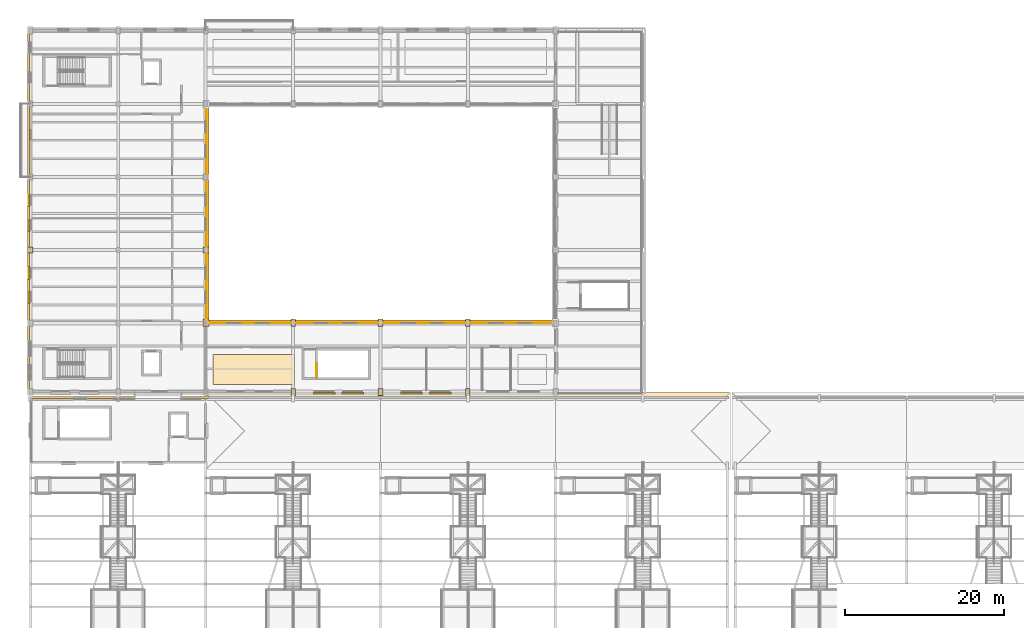
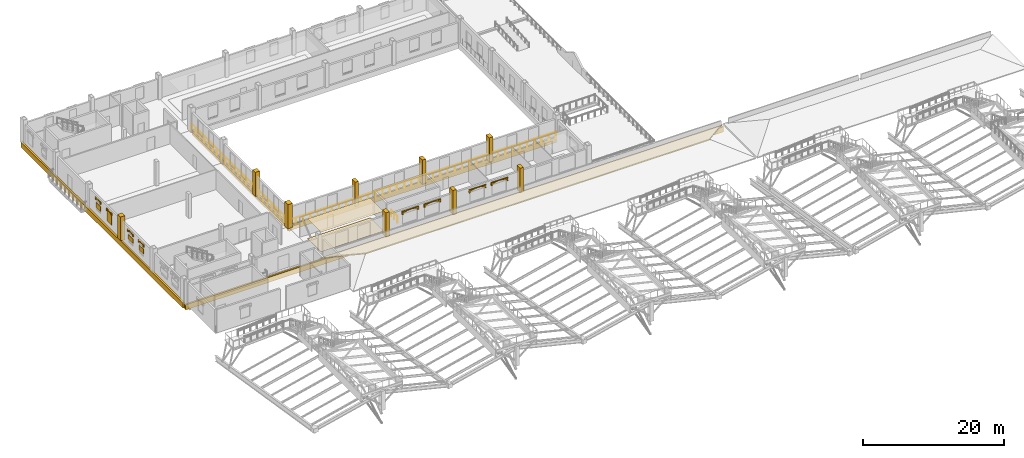
# One storey, part 36 of 43: 24 coverings, 4 shading devices, 3 railings.
"""IFC4 building model written with IfcOpenShell, lengths in metres."""

import ifcopenshell
import ifcopenshell.guid

model = None  # the IFC model being written
_history = None  # IfcOwnerHistory: only IFC2X3 demands one
_inside = {}  # id of a spatial element -> (the spatial element, [elements in it])
_under = {}  # id of a project, library or spatial element -> (it, [spatial elements below it])
_declared = {}  # id of a project -> (the project, [libraries it declares])
_typed = {}  # id of a type object -> (the type object, [elements of that type])
_made_of = {}  # id of a material, layer set ... -> (it, [elements and type objects made of it])


def new_model(schema):
    """Start an empty IFC model of exactly this schema.

    Asked for "IFC4X3", IfcOpenShell would pick the latest addendum, in which some entities
    have other attributes; the version numbers below select the first issue.
    IFC2X3 requires an IfcOwnerHistory on every rooted entity: one is made here for all.
    """
    global model, _history
    if schema == "IFC4X3":
        model = ifcopenshell.file(schema_version=(4, 3, 0, 0))
    else:
        model = ifcopenshell.file(schema=schema)
    _inside.clear()
    _under.clear()
    _declared.clear()
    _typed.clear()
    _made_of.clear()
    _history = None
    if model.schema == "IFC2X3":
        org = make("IfcOrganization", Name="unknown")
        user = make(
            "IfcPersonAndOrganization",
            ThePerson=make("IfcPerson", FamilyName="unknown"),
            TheOrganization=org,
        )
        app = make(
            "IfcApplication",
            ApplicationDeveloper=org,
            Version="unknown",
            ApplicationFullName="unknown",
            ApplicationIdentifier="unknown",
        )
        _history = make(
            "IfcOwnerHistory",
            OwningUser=user,
            OwningApplication=app,
            ChangeAction="ADDED",
            CreationDate=0,
        )
    return model


def make(cls, **values):
    """One entity of the class cls with the attributes given. An attribute that is None is left unset."""
    return model.create_entity(
        cls, **{name: value for name, value in values.items() if value is not None}
    )


def rooted(cls, **values):
    """An entity with a GlobalId (a new one), such as an element, a storey or a relation."""
    return make(cls, GlobalId=ifcopenshell.guid.new(), OwnerHistory=_history, **values)


def si_unit(unit_type, name, prefix=None):
    """IfcSIUnit, for example si_unit("LENGTHUNIT", "METRE", prefix="MILLI")."""
    return make("IfcSIUnit", UnitType=unit_type, Prefix=prefix, Name=name)


def assignment(units):
    """IfcUnitAssignment: the units of a project."""
    return None if units is None else make("IfcUnitAssignment", Units=units)


def point(xyz):
    """IfcCartesianPoint."""
    return None if xyz is None else make("IfcCartesianPoint", Coordinates=xyz)


def direction(xyz):
    """IfcDirection."""
    return None if xyz is None else make("IfcDirection", DirectionRatios=xyz)


def frame(location, z_axis=None, x_axis=None):
    """IfcAxis2Placement3D, a coordinate frame: its origin and axes. An axis left out is left unset."""
    return make(
        "IfcAxis2Placement3D",
        Location=point(location),
        Axis=direction(z_axis),
        RefDirection=direction(x_axis),
    )


def frame_2d(location, x_axis=None):
    """IfcAxis2Placement2D, a coordinate frame in the plane: its origin and x axis."""
    return make(
        "IfcAxis2Placement2D", Location=point(location), RefDirection=direction(x_axis)
    )


def origin():
    """The frame at (0, 0, 0) with its axes left unset."""
    return frame((0.0, 0.0, 0.0))


def origin_2d():
    """The frame at (0, 0) in the plane with its x axis left unset."""
    return frame_2d((0.0, 0.0))


def place(relative_to, where):
    """IfcLocalPlacement: puts the frame where relative to a parent placement (None: the world)."""
    return make(
        "IfcLocalPlacement", PlacementRelTo=relative_to, RelativePlacement=where
    )


def context(
    kind, dimensions, precision=None, world=None, true_north=None, identifier=None
):
    """IfcGeometricRepresentationContext, for example the 3D "Model" context."""
    return make(
        "IfcGeometricRepresentationContext",
        ContextIdentifier=identifier,
        ContextType=kind,
        CoordinateSpaceDimension=dimensions,
        Precision=precision,
        WorldCoordinateSystem=world,
        TrueNorth=true_north,
    )


def subcontext(parent, identifier, kind, view, scale=None):
    """IfcGeometricRepresentationSubContext, for example "Body" below "Model"."""
    return make(
        "IfcGeometricRepresentationSubContext",
        ContextIdentifier=identifier,
        ContextType=kind,
        ParentContext=parent,
        TargetScale=scale,
        TargetView=view,
    )


def project(units=None, contexts=None):
    """IfcProject with its units and contexts."""
    return rooted(
        "IfcProject",
        Name="project",
        RepresentationContexts=contexts,
        UnitsInContext=assignment(units),
    )


def spatial(cls, under=None, at=None, **own):
    """A site, building, storey or space (cls), placed at a placement, below another one or the project."""
    s = rooted(cls, ObjectPlacement=at, **own)
    if under is not None:
        _under.setdefault(under.id(), (under, []))[1].append(s)
    return s


def polyline(points):
    """IfcPolyline through the points."""
    return make("IfcPolyline", Points=[point(p) for p in points])


def profile(cls, at=None, kind="AREA", **sizes):
    """A parametric profile (cls). Its sizes go by their IFC names, for example OverallWidth=200.0."""
    return make(cls, ProfileType=kind, Position=at, **sizes)


def rectangle(**sizes):
    """IfcRectangleProfileDef."""
    return profile("IfcRectangleProfileDef", **sizes)


def circle(**sizes):
    """IfcCircleProfileDef."""
    return profile("IfcCircleProfileDef", **sizes)


def outline(outer, holes=None, kind="AREA"):
    """IfcArbitraryClosedProfileDef: a profile drawn as a closed curve; with holes, ...WithVoids."""
    if holes is None:
        return make("IfcArbitraryClosedProfileDef", ProfileType=kind, OuterCurve=outer)
    return make(
        "IfcArbitraryProfileDefWithVoids",
        ProfileType=kind,
        OuterCurve=outer,
        InnerCurves=holes,
    )


def extrude(swept, where, along, depth):
    """IfcExtrudedAreaSolid: the profile swept, set in the frame where, extruded along a direction by depth."""
    return make(
        "IfcExtrudedAreaSolid",
        SweptArea=swept,
        Position=where,
        ExtrudedDirection=direction(along),
        Depth=depth,
    )


def shape(context_of_items, identifier, shape_type, items):
    """IfcShapeRepresentation: the items that make up one representation, for example the "Body"."""
    return make(
        "IfcShapeRepresentation",
        ContextOfItems=context_of_items,
        RepresentationIdentifier=identifier,
        RepresentationType=shape_type,
        Items=items,
    )


def material(Name=None, Category=None):
    """IfcMaterial."""
    return make("IfcMaterial", Name=Name, Category=Category)


def layer(
    of_material, thickness, ventilated=None, Name=None, Category=None, Priority=None
):
    """IfcMaterialLayer: one layer of a wall or slab, of a material (None: an air gap)."""
    return make(
        "IfcMaterialLayer",
        Material=of_material,
        LayerThickness=thickness,
        IsVentilated=ventilated,
        Name=Name,
        Category=Category,
        Priority=Priority,
    )


def layer_set(layers, Name=None):
    """IfcMaterialLayerSet."""
    return make("IfcMaterialLayerSet", MaterialLayers=layers, LayerSetName=Name)


def made_of(thing, what):
    """Note that an element or type object is made of a material, layer set ...; save() writes the relation."""
    if what is not None:
        _made_of.setdefault(what.id(), (what, []))[1].append(thing)
    return thing


def type_object(cls, material=None, **own):
    """A type object (cls), such as IfcWallType, which elements share."""
    return made_of(rooted(cls, **own), material)


def element(
    cls,
    number,
    at=None,
    inside=None,
    cuts=None,
    type_object=None,
    material=None,
    context=None,
    identifier="Body",
    shape_type=None,
    held_by="IfcProductDefinitionShape",
    body=None,
    shapes=None,
    **own,
):
    """One element of the class cls, such as IfcWall. Its Tag is "e" and its number.

    at: its placement. inside: the storey or other place that contains it. cuts: it is an
    opening in that element (IfcRelVoidsElement). A single representation is given by context,
    identifier, shape_type and body (its items); several are given by shapes. held_by: the class
    of the entity that holds the representations. save() writes the other relations.
    """
    e = rooted(cls, Tag="e%d" % number, ObjectPlacement=at, **own)
    if body is not None:
        shapes = [shape(context, identifier, shape_type, body)]
    if shapes is not None:
        e.Representation = make(held_by, Representations=shapes)
    if inside is not None:
        _inside.setdefault(inside.id(), (inside, []))[1].append(e)
    if cuts is not None:
        rooted(
            "IfcRelVoidsElement", RelatingBuildingElement=cuts, RelatedOpeningElement=e
        )
    if type_object is not None:
        _typed.setdefault(type_object.id(), (type_object, []))[1].append(e)
    return made_of(e, material)


def aggregate(whole, parts):
    """IfcRelAggregates: a whole, such as a stair, and the parts it consists of."""
    return rooted("IfcRelAggregates", RelatingObject=whole, RelatedObjects=parts)


def save(model, path):
    """Write the relations noted so far, then the file.

    IfcRelAggregates (storeys below a building ...), IfcRelContainedInSpatialStructure (elements
    in a storey), IfcRelDefinesByType, IfcRelAssociatesMaterial and IfcRelDeclares: one each for
    every whole, place, type object, material and project.
    """
    for whole, parts in _under.values():
        aggregate(whole, parts)
    for where, things in _inside.values():
        rooted(
            "IfcRelContainedInSpatialStructure",
            RelatedElements=things,
            RelatingStructure=where,
        )
    for kind, things in _typed.values():
        rooted("IfcRelDefinesByType", RelatedObjects=things, RelatingType=kind)
    for what, things in _made_of.values():
        rooted("IfcRelAssociatesMaterial", RelatedObjects=things, RelatingMaterial=what)
    for by, libraries in _declared.values():
        rooted("IfcRelDeclares", RelatingContext=by, RelatedDefinitions=libraries)
    model.write(path)


model = new_model("IFC4")

# Units and contexts
model_context = context("Model", 3, precision=1e-05, world=origin(), true_north=direction((0.0, 1.0)))
body_context = subcontext(model_context, "Body", "Model", "MODEL_VIEW")
ifc_project = project(units=[si_unit("LENGTHUNIT", "METRE"), si_unit("AREAUNIT", "SQUARE_METRE"), si_unit("VOLUMEUNIT", "CUBIC_METRE"), si_unit("PLANEANGLEUNIT", "RADIAN"), si_unit("MASSUNIT", "GRAM", prefix="KILO")], contexts=[model_context])

# Site, building, storey
site_placement = place(None, origin())
site = spatial("IfcSite", under=ifc_project, at=site_placement, CompositionType="ELEMENT")
building_placement = place(site_placement, origin())
building = spatial("IfcBuilding", under=site, at=building_placement, Name="Caurita Quay Ferry Terminal", CompositionType="ELEMENT")
storey_placement = place(building_placement, frame((0.0, 0.0, 14.10009765625)))
storey = spatial("IfcBuildingStorey", under=building, at=storey_placement, Name="L03", CompositionType="ELEMENT", Elevation=14.10009765625)

# Coverings
ifc_material_1 = material(Name="Acoustic mineral fibre tile", Category="finish")
ifc_layer_1 = layer(ifc_material_1, 0.02001953125, Name="Acoustic mineral-fibre suspended ceiling 20 mm")
ifc_layer_set_1 = layer_set([ifc_layer_1], Name="Acoustic mineral fibre tile")
covering_type_1 = type_object("IfcCoveringType", Name="COV-CEIL-020", PredefinedType="CEILING", material=ifc_layer_set_1)
covering_1_placement = place(storey_placement, frame((0.0, 0.0, 3.426025390625)))
element("IfcCovering", 1, at=covering_1_placement, inside=storey, type_object=covering_type_1, Name="Hydrographic Chart and Navigation Store Acoustic Ceiling", PredefinedType="CEILING", context=body_context, shape_type="SweptSolid", body=[
    extrude(outline(polyline([(22.89990234375, 72.5), (33.199951171875, 72.5), (33.199951171875, 76.300048828125), (22.89990234375, 76.300048828125), (22.89990234375, 72.5)])), origin(), (0.0, 0.0, 1.0), 0.02001953125),
])
ifc_material_2 = material(Name="Coral stone ashlar cladding", Category="masonry")
ifc_layer_2 = layer(ifc_material_2, 0.239990234375, Name="Classical coral-stone entablature and cornice moulding 240 mm")
ifc_layer_set_2 = layer_set([ifc_layer_2], Name="Coral stone ashlar cladding")
covering_type_2 = type_object("IfcCoveringType", Name="COV-ENT-MLD", PredefinedType="MOLDING", material=ifc_layer_set_2)
covering_2_placement = place(storey_placement, frame((-0.280029296875, 117.280029296875, -0.85009765625), z_axis=(0.0, 0.0, 1.0), x_axis=(0.0, -1.0, 0.0)))
element("IfcCovering", 2, at=covering_2_placement, inside=storey, type_object=covering_type_2, Name="L03 Classical Entablature Cornice 008", PredefinedType="MOLDING", context=body_context, shape_type="SweptSolid", body=[
    extrude(rectangle(XDim=45.97998046875, YDim=0.280029296875, at=frame_2d((22.989990234375, 0.0))), origin(), (0.0, 0.0, 1.0), 0.929931640625),
])
covering_3_placement = place(storey_placement, frame((22.0, 80.47998046875, -0.85009765625), z_axis=(0.0, 0.0, 1.0), x_axis=(1.0, 0.0, 0.0)))
element("IfcCovering", 3, at=covering_3_placement, inside=storey, type_object=covering_type_2, Name="L03 Classical Entablature Cornice 027", PredefinedType="MOLDING", context=body_context, shape_type="SweptSolid", body=[
    extrude(rectangle(XDim=44.0, YDim=0.280029296875, at=frame_2d((22.0, 0.0))), origin(), (0.0, 0.0, 1.0), 0.929931640625),
])
covering_4_placement = place(storey_placement, frame((22.280029296875, 80.199951171875, -0.85009765625), z_axis=(0.0, 0.0, 1.0), x_axis=(0.0, 1.0, 0.0)))
element("IfcCovering", 4, at=covering_4_placement, inside=storey, type_object=covering_type_2, Name="L03 Classical Entablature Cornice 029", PredefinedType="MOLDING", context=body_context, shape_type="SweptSolid", body=[
    extrude(rectangle(XDim=27.60009765625, YDim=0.280029296875, at=frame_2d((13.800048828125, 0.0))), origin(), (0.0, 0.0, 1.0), 0.929931640625),
])
covering_5_placement = place(storey_placement, frame((87.85009765625, 70.860107421875, -0.85009765625), z_axis=(0.0, 0.0, 1.0), x_axis=(-1.0, 0.0, 0.0)))
element("IfcCovering", 5, at=covering_5_placement, inside=storey, type_object=covering_type_2, Name="L03 Classical Entablature Cornice 046", PredefinedType="MOLDING", context=body_context, shape_type="SweptSolid", body=[
    extrude(rectangle(XDim=88.130126953125, YDim=0.280029296875, at=frame_2d((44.06494140625, 0.0))), origin(), (0.0, 0.0, 1.0), 0.909912109375),
])
ifc_material_3 = material(Name="Polished marine terrazzo tile", Category="finish")
ifc_layer_3 = layer(ifc_material_3, 0.02490234375, Name="Polished marine terrazzo floor finish 25 mm")
ifc_layer_set_3 = layer_set([ifc_layer_3], Name="Polished marine terrazzo tile")
covering_type_3 = type_object("IfcCoveringType", Name="COV-FLR-025", PredefinedType="FLOORING", material=ifc_layer_set_3)
covering_6_placement = place(storey_placement, origin())
element("IfcCovering", 6, at=covering_6_placement, inside=storey, type_object=covering_type_3, Name="Hydrographic Chart and Navigation Store Terrazzo Flooring", PredefinedType="FLOORING", context=body_context, shape_type="SweptSolid", body=[
    extrude(outline(polyline([(22.89990234375, 72.5), (33.199951171875, 72.5), (33.199951171875, 76.300048828125), (22.89990234375, 76.300048828125), (22.89990234375, 72.5)])), origin(), (0.0, 0.0, 1.0), 0.02490234375),
])
ifc_material_4 = material(Name="Warm-white lime stucco masonry", Category="masonry")
ifc_layer_4 = layer(ifc_material_4, 0.179931640625, Name="Classical engaged lime-stucco facade pilaster cladding 180 mm")
ifc_layer_set_4 = layer_set([ifc_layer_4], Name="Warm-white lime stucco masonry")
covering_type_4 = type_object("IfcCoveringType", Name="COV-PIL-CLD", PredefinedType="CLADDING", material=ifc_layer_set_4)
covering_7_placement = place(storey_placement, frame((-0.050048828125, 89.39990234375, 0.0), z_axis=(0.0, 0.0, 1.0), x_axis=(1.0, 0.0, 0.0)))
element("IfcCovering", 7, at=covering_7_placement, inside=storey, type_object=covering_type_4, Name="L03 Classical Engaged Pilaster 0279", PredefinedType="CLADDING", context=body_context, shape_type="SweptSolid", body=[
    extrude(rectangle(XDim=0.72998046875, YDim=0.77001953125, at=origin_2d()), origin(), (0.0, 0.0, 1.0), 4.199951171875),
])
covering_8_placement = place(storey_placement, frame((22.050048828125, 80.25, 0.0), z_axis=(0.0, 0.0, 1.0), x_axis=(1.0, 0.0, 0.0)))
element("IfcCovering", 8, at=covering_8_placement, inside=storey, type_object=covering_type_4, Name="L03 Classical Engaged Pilaster 0312", PredefinedType="CLADDING", context=body_context, shape_type="SweptSolid", body=[
    extrude(rectangle(XDim=0.72998046875, YDim=0.929931640625, at=origin_2d()), origin(), (0.0, 0.0, 1.0), 4.199951171875),
])
covering_9_placement = place(storey_placement, frame((22.050048828125, 89.39990234375, 0.0), z_axis=(0.0, 0.0, 1.0), x_axis=(1.0, 0.0, 0.0)))
element("IfcCovering", 9, at=covering_9_placement, inside=storey, type_object=covering_type_4, Name="L03 Classical Engaged Pilaster 0315", PredefinedType="CLADDING", context=body_context, shape_type="SweptSolid", body=[
    extrude(rectangle(XDim=0.72998046875, YDim=0.77001953125, at=origin_2d()), origin(), (0.0, 0.0, 1.0), 4.199951171875),
])
for number, where, z_axis, x_axis, name in (
    (10, (33.0, 71.550048828125, 0.0), (0.0, 0.0, 1.0), (1.0, 0.0, 0.0), "L03 Classical Engaged Pilaster 0331"),
    (11, (33.0, 80.25, 0.0), (0.0, 0.0, 1.0), (1.0, 0.0, 0.0), "L03 Classical Engaged Pilaster 0334"),
    (12, (44.0, 71.550048828125, 0.0), (0.0, 0.0, 1.0), (1.0, 0.0, 0.0), "L03 Classical Engaged Pilaster 0345"),
    (13, (44.0, 80.25, 0.0), (0.0, 0.0, 1.0), (1.0, 0.0, 0.0), "L03 Classical Engaged Pilaster 0348"),
    (14, (55.0, 71.550048828125, 0.0), (0.0, 0.0, 1.0), (1.0, 0.0, 0.0), "L03 Classical Engaged Pilaster 0359"),
    (15, (55.0, 80.25, 0.0), (0.0, 0.0, 1.0), (1.0, 0.0, 0.0), "L03 Classical Engaged Pilaster 0361"),
):
    element("IfcCovering", number, at=place(storey_placement, frame(where, z_axis=z_axis, x_axis=x_axis)), inside=storey, type_object=covering_type_4, Name=name, PredefinedType="CLADDING", context=body_context, shape_type="SweptSolid", body=[
        extrude(rectangle(XDim=0.570068359375, YDim=0.929931640625, at=origin_2d()), origin(), (0.0, 0.0, 1.0), 4.199951171875),
    ])
ifc_material_5 = material(Name="Terracotta clay barrel tile", Category="masonry")
ifc_layer_5 = layer(ifc_material_5, 0.06494140625, Name="Terracotta clay barrel-tile roofing course")
ifc_layer_set_5 = layer_set([ifc_layer_5], Name="Terracotta clay barrel tile")
covering_type_5 = type_object("IfcCoveringType", Name="COV-TEJA-ROOF", PredefinedType="ROOFING", material=ifc_layer_set_5)
covering_10_placement = place(storey_placement, frame((88.0, 71.5, -0.14013671875), z_axis=(0.0, 0.377954065566, 0.925824348525), x_axis=(-1.0, 0.0, 0.0)))
element("IfcCovering", 16, at=covering_10_placement, inside=storey, type_object=covering_type_5, Name="Terracotta Roof Timber Decking V1-SPN-N", PredefinedType="ROOFING", context=body_context, shape_type="SweptSolid", body=[
    extrude(outline(polyline([(0.0, 0.0), (66.0, 0.0), (61.14990234375, 5.238680170786647), (4.85009765625, 5.238680170786647), (0.0, 0.0)])), origin(), (0.0, 0.0, -1.0), 0.054931640625),
])
ifc_layer_6 = layer(ifc_material_2, 0.139892578125, Name="Spanish Colonial semicircular arched window surround 140 mm")
ifc_layer_set_6 = layer_set([ifc_layer_6], Name="Coral stone ashlar cladding")
covering_type_6 = type_object("IfcCoveringType", Name="COV-WHD-MLD", PredefinedType="MOLDING", material=ifc_layer_set_6)
for number, where, z_axis, x_axis, name in (
    (17, (-0.199951171875, 87.280029296875, 2.72998046875), (0.0, 0.0, 1.0), (0.0, -1.0, 0.0), "L03 Arched Window Surround 048"),
    (18, (-0.199951171875, 84.280029296875, 2.72998046875), (0.0, 0.0, 1.0), (0.0, -1.0, 0.0), "L03 Arched Window Surround 049"),
    (19, (-0.199951171875, 96.47998046875, 2.72998046875), (0.0, 0.0, 1.0), (0.0, -1.0, 0.0), "L03 Arched Window Surround 050"),
    (20, (-0.199951171875, 93.31494140625, 2.72998046875), (0.0, 0.0, 1.0), (0.0, -1.0, 0.0), "L03 Arched Window Surround 051"),
):
    element("IfcCovering", number, at=place(storey_placement, frame(where, z_axis=z_axis, x_axis=x_axis)), inside=storey, type_object=covering_type_6, Name=name, PredefinedType="MOLDING", context=body_context, shape_type="SweptSolid", body=[
        extrude(outline(polyline([(0.0, 0.0), (0.159912109375, 0.0), (0.159912109375, 0.0400390625), (0.1904296875, 0.12158203125), (0.2783203125, 0.195068359375), (0.41552734375, 0.253662109375), (0.58837890625, 0.291015625), (0.780029296875, 0.303955078125), (0.9716796875, 0.291015625), (1.14453125, 0.253662109375), (1.28173828125, 0.195068359375), (1.36962890625, 0.12158203125), (1.400146484375, 0.0400390625), (1.400146484375, 0.0), (1.56005859375, 0.0), (1.56005859375, 0.384033203125), (0.0, 0.384033203125), (0.0, 0.0)])), frame((0.0, 0.06982421875, 0.0), z_axis=(0.0, -1.0, 0.0), x_axis=(1.0, 0.0, 0.0)), (0.0, 0.0, 1.0), 0.139892578125),
    ])
covering_11_placement = place(storey_placement, frame((35.52001953125, 71.39990234375, 2.72998046875), z_axis=(0.0, 0.0, 1.0), x_axis=(1.0, 0.0, 0.0)))
element("IfcCovering", 21, at=covering_11_placement, inside=storey, type_object=covering_type_6, Name="L03 Arched Window Surround 072", PredefinedType="MOLDING", context=body_context, shape_type="SweptSolid", body=[
    extrude(outline(polyline([(0.0, 0.0), (0.159912109375, 0.0), (0.159912109375, 0.0400390625), (0.2197265625, 0.1728515625), (0.39306640625, 0.292724609375), (0.662841796875, 0.387939453125), (1.0029296875, 0.448974609375), (1.380126953125, 0.469970703125), (1.757080078125, 0.448974609375), (2.09716796875, 0.387939453125), (2.366943359375, 0.292724609375), (2.540283203125, 0.1728515625), (2.60009765625, 0.0400390625), (2.60009765625, 0.0), (2.760009765625, 0.0), (2.760009765625, 0.5498046875), (0.0, 0.5498046875), (0.0, 0.0)])), frame((0.0, 0.06982421875, 0.0), z_axis=(0.0, -1.0, 0.0), x_axis=(1.0, 0.0, 0.0)), (0.0, 0.0, 1.0), 0.139892578125),
])
covering_12_placement = place(storey_placement, frame((39.1201171875, 71.39990234375, 2.72998046875), z_axis=(0.0, 0.0, 1.0), x_axis=(1.0, 0.0, 0.0)))
element("IfcCovering", 22, at=covering_12_placement, inside=storey, type_object=covering_type_6, Name="L03 Arched Window Surround 073", PredefinedType="MOLDING", context=body_context, shape_type="SweptSolid", body=[
    extrude(outline(polyline([(0.0, 0.0), (0.159912109375, 0.0), (0.159912109375, 0.0400390625), (0.2197265625, 0.1728515625), (0.39306640625, 0.292724609375), (0.662841796875, 0.387939453125), (1.0029296875, 0.448974609375), (1.3798828125, 0.469970703125), (1.7568359375, 0.448974609375), (2.096923828125, 0.387939453125), (2.36669921875, 0.292724609375), (2.5400390625, 0.1728515625), (2.599853515625, 0.0400390625), (2.599853515625, 0.0), (2.759765625, 0.0), (2.759765625, 0.5498046875), (0.0, 0.5498046875), (0.0, 0.0)])), frame((0.0, 0.06982421875, 0.0), z_axis=(0.0, -1.0, 0.0), x_axis=(1.0, 0.0, 0.0)), (0.0, 0.0, 1.0), 0.139892578125),
])
covering_13_placement = place(storey_placement, frame((46.52001953125, 71.39990234375, 2.6298828125), z_axis=(0.0, 0.0, 1.0), x_axis=(1.0, 0.0, 0.0)))
element("IfcCovering", 23, at=covering_13_placement, inside=storey, type_object=covering_type_6, Name="L03 Arched Window Surround 074", PredefinedType="MOLDING", context=body_context, shape_type="SweptSolid", body=[
    extrude(outline(polyline([(0.0, 0.0), (0.159912109375, 0.0), (0.159912109375, 0.0400390625), (0.2197265625, 0.1728515625), (0.39306640625, 0.292724609375), (0.662841796875, 0.387939453125), (1.0029296875, 0.448974609375), (1.380126953125, 0.469970703125), (1.757080078125, 0.448974609375), (2.09716796875, 0.387939453125), (2.366943359375, 0.292724609375), (2.540283203125, 0.1728515625), (2.60009765625, 0.0400390625), (2.60009765625, 0.0), (2.760009765625, 0.0), (2.760009765625, 0.550048828125), (0.0, 0.550048828125), (0.0, 0.0)])), frame((0.0, 0.06982421875, 0.0), z_axis=(0.0, -1.0, 0.0), x_axis=(1.0, 0.0, 0.0)), (0.0, 0.0, 1.0), 0.139892578125),
])
covering_14_placement = place(storey_placement, frame((50.1201171875, 71.39990234375, 2.6298828125), z_axis=(0.0, 0.0, 1.0), x_axis=(1.0, 0.0, 0.0)))
element("IfcCovering", 24, at=covering_14_placement, inside=storey, type_object=covering_type_6, Name="L03 Arched Window Surround 075", PredefinedType="MOLDING", context=body_context, shape_type="SweptSolid", body=[
    extrude(outline(polyline([(0.0, 0.0), (0.159912109375, 0.0), (0.159912109375, 0.0400390625), (0.2197265625, 0.1728515625), (0.39306640625, 0.292724609375), (0.662841796875, 0.387939453125), (1.0029296875, 0.448974609375), (1.3798828125, 0.469970703125), (1.7568359375, 0.448974609375), (2.096923828125, 0.387939453125), (2.36669921875, 0.292724609375), (2.5400390625, 0.1728515625), (2.599853515625, 0.0400390625), (2.599853515625, 0.0), (2.759765625, 0.0), (2.759765625, 0.550048828125), (0.0, 0.550048828125), (0.0, 0.0)])), frame((0.0, 0.06982421875, 0.0), z_axis=(0.0, -1.0, 0.0), x_axis=(1.0, 0.0, 0.0)), (0.0, 0.0, 1.0), 0.139892578125),
])

# Railings
ifc_material_6 = material(Name="Bronze architectural metalwork", Category="metal")
railing_type = type_object("IfcRailingType", Name="RL-REJA-115", PredefinedType="BALUSTRADE", material=ifc_material_6)
railing_1_placement = place(storey_placement, frame((22.10009765625, 80.25, 0.0)))
element("IfcRailing", 25, at=railing_1_placement, inside=storey, type_object=railing_type, Name="L03 Courtyard Cloister Guard (090)", PredefinedType="BALUSTRADE", context=body_context, shape_type="SweptSolid", body=[
    extrude(circle(Radius=0.02392578125, at=origin_2d()), frame((0.0, 0.0, 1.1259765625), z_axis=(1.0, 0.0, 0.0), x_axis=(0.0, 1.0, 0.0)), (0.0, 0.0, 1.0), 43.7998046875),
    extrude(circle(Radius=0.02099609375, at=origin_2d()), origin(), (0.0, 0.0, 1.0), 1.101806640625),
    extrude(circle(Radius=0.02099609375, at=origin_2d()), frame((1.183837890625, 0.0, 0.0)), (0.0, 0.0, 1.0), 1.101806640625),
    extrude(circle(Radius=0.02099609375, at=origin_2d()), frame((2.36767578125, 0.0, 0.0)), (0.0, 0.0, 1.0), 1.101806640625),
    extrude(circle(Radius=0.02099609375, at=origin_2d()), frame((3.55126953125, 0.0, 0.0)), (0.0, 0.0, 1.0), 1.101806640625),
    extrude(circle(Radius=0.02099609375, at=origin_2d()), frame((4.735107421875, 0.0, 0.0)), (0.0, 0.0, 1.0), 1.101806640625),
    extrude(circle(Radius=0.02099609375, at=origin_2d()), frame((5.9189453125, 0.0, 0.0)), (0.0, 0.0, 1.0), 1.101806640625),
    extrude(circle(Radius=0.02099609375, at=origin_2d()), frame((7.102783203125, 0.0, 0.0)), (0.0, 0.0, 1.0), 1.101806640625),
    extrude(circle(Radius=0.02099609375, at=origin_2d()), frame((8.286376953125, 0.0, 0.0)), (0.0, 0.0, 1.0), 1.101806640625),
    extrude(circle(Radius=0.02099609375, at=origin_2d()), frame((9.47021484375, 0.0, 0.0)), (0.0, 0.0, 1.0), 1.101806640625),
    extrude(circle(Radius=0.02099609375, at=origin_2d()), frame((10.654052734375, 0.0, 0.0)), (0.0, 0.0, 1.0), 1.101806640625),
    extrude(circle(Radius=0.02099609375, at=origin_2d()), frame((11.837890625, 0.0, 0.0)), (0.0, 0.0, 1.0), 1.101806640625),
    extrude(circle(Radius=0.02099609375, at=origin_2d()), frame((13.021484375, 0.0, 0.0)), (0.0, 0.0, 1.0), 1.101806640625),
    extrude(circle(Radius=0.02099609375, at=origin_2d()), frame((14.205322265625, 0.0, 0.0)), (0.0, 0.0, 1.0), 1.101806640625),
    extrude(circle(Radius=0.02099609375, at=origin_2d()), frame((15.38916015625, 0.0, 0.0)), (0.0, 0.0, 1.0), 1.101806640625),
    extrude(circle(Radius=0.02099609375, at=origin_2d()), frame((16.572998046875, 0.0, 0.0)), (0.0, 0.0, 1.0), 1.101806640625),
    extrude(circle(Radius=0.02099609375, at=origin_2d()), frame((17.756591796875, 0.0, 0.0)), (0.0, 0.0, 1.0), 1.101806640625),
    extrude(circle(Radius=0.02099609375, at=origin_2d()), frame((18.9404296875, 0.0, 0.0)), (0.0, 0.0, 1.0), 1.101806640625),
    extrude(circle(Radius=0.02099609375, at=origin_2d()), frame((20.124267578125, 0.0, 0.0)), (0.0, 0.0, 1.0), 1.101806640625),
    extrude(circle(Radius=0.02099609375, at=origin_2d()), frame((21.30810546875, 0.0, 0.0)), (0.0, 0.0, 1.0), 1.101806640625),
    extrude(circle(Radius=0.02099609375, at=origin_2d()), frame((22.49169921875, 0.0, 0.0)), (0.0, 0.0, 1.0), 1.101806640625),
    extrude(circle(Radius=0.02099609375, at=origin_2d()), frame((23.675537109375, 0.0, 0.0)), (0.0, 0.0, 1.0), 1.101806640625),
    extrude(circle(Radius=0.02099609375, at=origin_2d()), frame((24.859375, 0.0, 0.0)), (0.0, 0.0, 1.0), 1.101806640625),
    extrude(circle(Radius=0.02099609375, at=origin_2d()), frame((26.043212890625, 0.0, 0.0)), (0.0, 0.0, 1.0), 1.101806640625),
    extrude(circle(Radius=0.02099609375, at=origin_2d()), frame((27.226806640625, 0.0, 0.0)), (0.0, 0.0, 1.0), 1.101806640625),
    extrude(circle(Radius=0.02099609375, at=origin_2d()), frame((28.41064453125, 0.0, 0.0)), (0.0, 0.0, 1.0), 1.101806640625),
    extrude(circle(Radius=0.02099609375, at=origin_2d()), frame((29.594482421875, 0.0, 0.0)), (0.0, 0.0, 1.0), 1.101806640625),
    extrude(circle(Radius=0.02099609375, at=origin_2d()), frame((30.7783203125, 0.0, 0.0)), (0.0, 0.0, 1.0), 1.101806640625),
    extrude(circle(Radius=0.02099609375, at=origin_2d()), frame((31.9619140625, 0.0, 0.0)), (0.0, 0.0, 1.0), 1.101806640625),
    extrude(circle(Radius=0.02099609375, at=origin_2d()), frame((33.145751953125, 0.0, 0.0)), (0.0, 0.0, 1.0), 1.101806640625),
    extrude(circle(Radius=0.02099609375, at=origin_2d()), frame((34.32958984375, 0.0, 0.0)), (0.0, 0.0, 1.0), 1.101806640625),
    extrude(circle(Radius=0.02099609375, at=origin_2d()), frame((35.513427734375, 0.0, 0.0)), (0.0, 0.0, 1.0), 1.101806640625),
    extrude(circle(Radius=0.02099609375, at=origin_2d()), frame((36.697021484375, 0.0, 0.0)), (0.0, 0.0, 1.0), 1.101806640625),
    extrude(circle(Radius=0.02099609375, at=origin_2d()), frame((37.880859375, 0.0, 0.0)), (0.0, 0.0, 1.0), 1.101806640625),
    extrude(circle(Radius=0.02099609375, at=origin_2d()), frame((39.064697265625, 0.0, 0.0)), (0.0, 0.0, 1.0), 1.101806640625),
    extrude(circle(Radius=0.02099609375, at=origin_2d()), frame((40.24853515625, 0.0, 0.0)), (0.0, 0.0, 1.0), 1.101806640625),
    extrude(circle(Radius=0.02099609375, at=origin_2d()), frame((41.43212890625, 0.0, 0.0)), (0.0, 0.0, 1.0), 1.101806640625),
    extrude(circle(Radius=0.02099609375, at=origin_2d()), frame((42.615966796875, 0.0, 0.0)), (0.0, 0.0, 1.0), 1.101806640625),
    extrude(circle(Radius=0.02099609375, at=origin_2d()), frame((43.7998046875, 0.0, 0.0)), (0.0, 0.0, 1.0), 1.101806640625),
])
railing_2_placement = place(storey_placement, frame((22.10009765625, 107.75, 0.0)))
element("IfcRailing", 26, at=railing_2_placement, inside=storey, type_object=railing_type, Name="L03 Courtyard Cloister Guard (093)", PredefinedType="BALUSTRADE", context=body_context, shape_type="SweptSolid", body=[
    extrude(circle(Radius=0.02392578125, at=origin_2d()), frame((0.0, 0.0, 1.1259765625), z_axis=(0.0, -1.0, 0.0), x_axis=(1.0, 0.0, 0.0)), (0.0, 0.0, 1.0), 27.5),
    extrude(circle(Radius=0.02099609375, at=origin_2d()), origin(), (0.0, 0.0, 1.0), 1.101806640625),
    extrude(circle(Radius=0.02099609375, at=origin_2d()), frame((0.0, -1.195556640625, 0.0)), (0.0, 0.0, 1.0), 1.101806640625),
    extrude(circle(Radius=0.02099609375, at=origin_2d()), frame((0.0, -2.391357421875, 0.0)), (0.0, 0.0, 1.0), 1.101806640625),
    extrude(circle(Radius=0.02099609375, at=origin_2d()), frame((0.0, -3.5869140625, 0.0)), (0.0, 0.0, 1.0), 1.101806640625),
    extrude(circle(Radius=0.02099609375, at=origin_2d()), frame((0.0, -4.78271484375, 0.0)), (0.0, 0.0, 1.0), 1.101806640625),
    extrude(circle(Radius=0.02099609375, at=origin_2d()), frame((0.0, -5.978271484375, 0.0)), (0.0, 0.0, 1.0), 1.101806640625),
    extrude(circle(Radius=0.02099609375, at=origin_2d()), frame((0.0, -7.173828125, 0.0)), (0.0, 0.0, 1.0), 1.101806640625),
    extrude(circle(Radius=0.02099609375, at=origin_2d()), frame((0.0, -8.36962890625, 0.0)), (0.0, 0.0, 1.0), 1.101806640625),
    extrude(circle(Radius=0.02099609375, at=origin_2d()), frame((0.0, -9.565185546875, 0.0)), (0.0, 0.0, 1.0), 1.101806640625),
    extrude(circle(Radius=0.02099609375, at=origin_2d()), frame((0.0, -10.760986328125, 0.0)), (0.0, 0.0, 1.0), 1.101806640625),
    extrude(circle(Radius=0.02099609375, at=origin_2d()), frame((0.0, -11.95654296875, 0.0)), (0.0, 0.0, 1.0), 1.101806640625),
    extrude(circle(Radius=0.02099609375, at=origin_2d()), frame((0.0, -13.152099609375, 0.0)), (0.0, 0.0, 1.0), 1.101806640625),
    extrude(circle(Radius=0.02099609375, at=origin_2d()), frame((0.0, -14.347900390625, 0.0)), (0.0, 0.0, 1.0), 1.101806640625),
    extrude(circle(Radius=0.02099609375, at=origin_2d()), frame((0.0, -15.54345703125, 0.0)), (0.0, 0.0, 1.0), 1.101806640625),
    extrude(circle(Radius=0.02099609375, at=origin_2d()), frame((0.0, -16.739013671875, 0.0)), (0.0, 0.0, 1.0), 1.101806640625),
    extrude(circle(Radius=0.02099609375, at=origin_2d()), frame((0.0, -17.934814453125, 0.0)), (0.0, 0.0, 1.0), 1.101806640625),
    extrude(circle(Radius=0.02099609375, at=origin_2d()), frame((0.0, -19.13037109375, 0.0)), (0.0, 0.0, 1.0), 1.101806640625),
    extrude(circle(Radius=0.02099609375, at=origin_2d()), frame((0.0, -20.326171875, 0.0)), (0.0, 0.0, 1.0), 1.101806640625),
    extrude(circle(Radius=0.02099609375, at=origin_2d()), frame((0.0, -21.521728515625, 0.0)), (0.0, 0.0, 1.0), 1.101806640625),
    extrude(circle(Radius=0.02099609375, at=origin_2d()), frame((0.0, -22.71728515625, 0.0)), (0.0, 0.0, 1.0), 1.101806640625),
    extrude(circle(Radius=0.02099609375, at=origin_2d()), frame((0.0, -23.9130859375, 0.0)), (0.0, 0.0, 1.0), 1.101806640625),
    extrude(circle(Radius=0.02099609375, at=origin_2d()), frame((0.0, -25.108642578125, 0.0)), (0.0, 0.0, 1.0), 1.101806640625),
    extrude(circle(Radius=0.02099609375, at=origin_2d()), frame((0.0, -26.304443359375, 0.0)), (0.0, 0.0, 1.0), 1.101806640625),
    extrude(circle(Radius=0.02099609375, at=origin_2d()), frame((0.0, -27.5, 0.0)), (0.0, 0.0, 1.0), 1.101806640625),
])
railing_3_placement = place(storey_placement, frame((35.949951171875, 73.39990234375, 0.0)))
element("IfcRailing", 27, at=railing_3_placement, inside=storey, type_object=railing_type, Name="L03 ST-03 top well guard 1", PredefinedType="BALUSTRADE", context=body_context, shape_type="SweptSolid", body=[
    extrude(circle(Radius=0.02392578125, at=origin_2d()), frame((0.0, 0.0, 1.1259765625), z_axis=(0.0, 1.0, 0.0), x_axis=(-1.0, 0.0, 0.0)), (0.0, 0.0, 1.0), 1.760009765625),
    extrude(circle(Radius=0.02099609375, at=origin_2d()), origin(), (0.0, 0.0, 1.0), 1.101806640625),
    extrude(circle(Radius=0.02099609375, at=origin_2d()), frame((0.0, 0.8798828125, 0.0)), (0.0, 0.0, 1.0), 1.101806640625),
    extrude(circle(Radius=0.02099609375, at=origin_2d()), frame((0.0, 1.760009765625, 0.0)), (0.0, 0.0, 1.0), 1.101806640625),
])

# Shading devices
shading_device_type_1 = type_object("IfcShadingDeviceType", Name="SHD-JAL-01", PredefinedType="JALOUSIE", material=ifc_material_6)
for number, where, z_axis, x_axis, name in (
    (28, (-0.177978515625, 86.5, 1.44482421875), (0.0, 0.0, 1.0), (0.0, -1.0, 0.0), "L03 Tropical Window Sun-Breaker 053"),
    (29, (-0.177978515625, 95.699951171875, 1.44482421875), (0.0, 0.0, 1.0), (0.0, -1.0, 0.0), "L03 Tropical Window Sun-Breaker 055"),
):
    element("IfcShadingDevice", number, at=place(storey_placement, frame(where, z_axis=z_axis, x_axis=x_axis)), inside=storey, type_object=shading_device_type_1, Name=name, PredefinedType="JALOUSIE", context=body_context, shape_type="SweptSolid", body=[
        extrude(rectangle(XDim=1.300048828125, YDim=0.080078125, at=origin_2d()), origin(), (0.0, 0.0, 1.0), 0.81005859375),
    ])
ifc_material_7 = material(Name="Tropical mahogany hardwood", Category="wood")
shading_device_type_2 = type_object("IfcShadingDeviceType", Name="SHD-SHT-01", PredefinedType="SHUTTER", material=ifc_material_7)
shading_device_1_placement = place(storey_placement, frame((-0.16796875, 83.5, 1.44482421875), z_axis=(0.0, 0.0, 1.0), x_axis=(0.0, -1.0, 0.0)))
element("IfcShadingDevice", 30, at=shading_device_1_placement, inside=storey, type_object=shading_device_type_2, Name="L03 Tropical Window Sun-Breaker 054", PredefinedType="SHUTTER", context=body_context, shape_type="SweptSolid", body=[
    extrude(rectangle(XDim=1.300048828125, YDim=0.06005859375, at=origin_2d()), origin(), (0.0, 0.0, 1.0), 0.81005859375),
])
shading_device_2_placement = place(storey_placement, frame((-0.16796875, 92.534912109375, 0.909912109375), z_axis=(0.0, 0.0, 1.0), x_axis=(0.0, -1.0, 0.0)))
element("IfcShadingDevice", 31, at=shading_device_2_placement, inside=storey, type_object=shading_device_type_2, Name="L03 Tropical Window Sun-Breaker 056", PredefinedType="SHUTTER", context=body_context, shape_type="SweptSolid", body=[
    extrude(rectangle(XDim=1.320068359375, YDim=0.06005859375, at=origin_2d()), origin(), (0.0, 0.0, 1.0), 1.8798828125),
])

save(model, "model.ifc")
